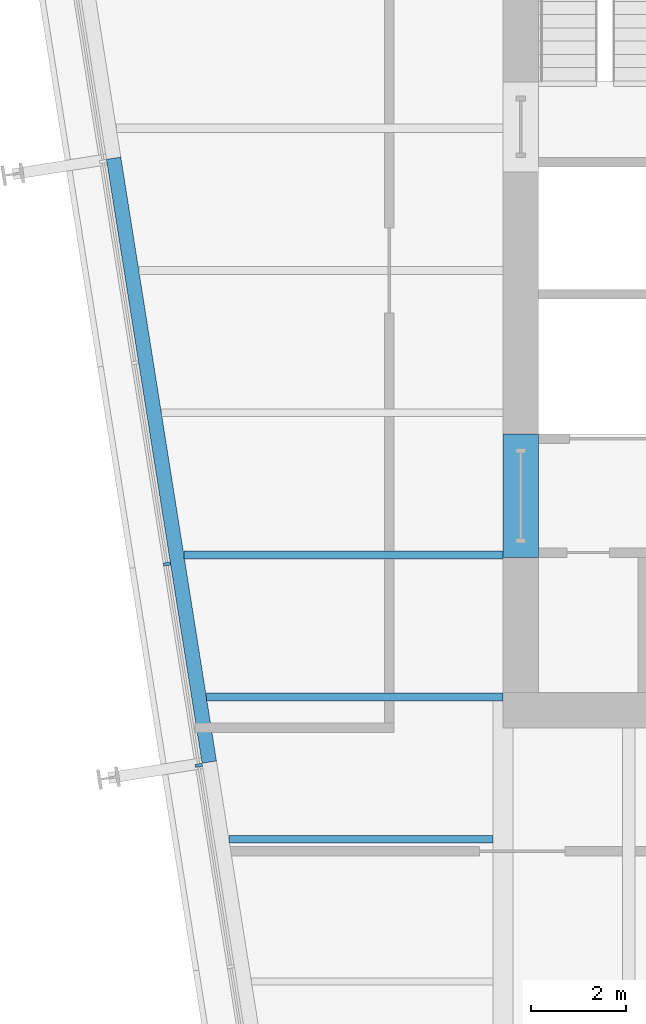
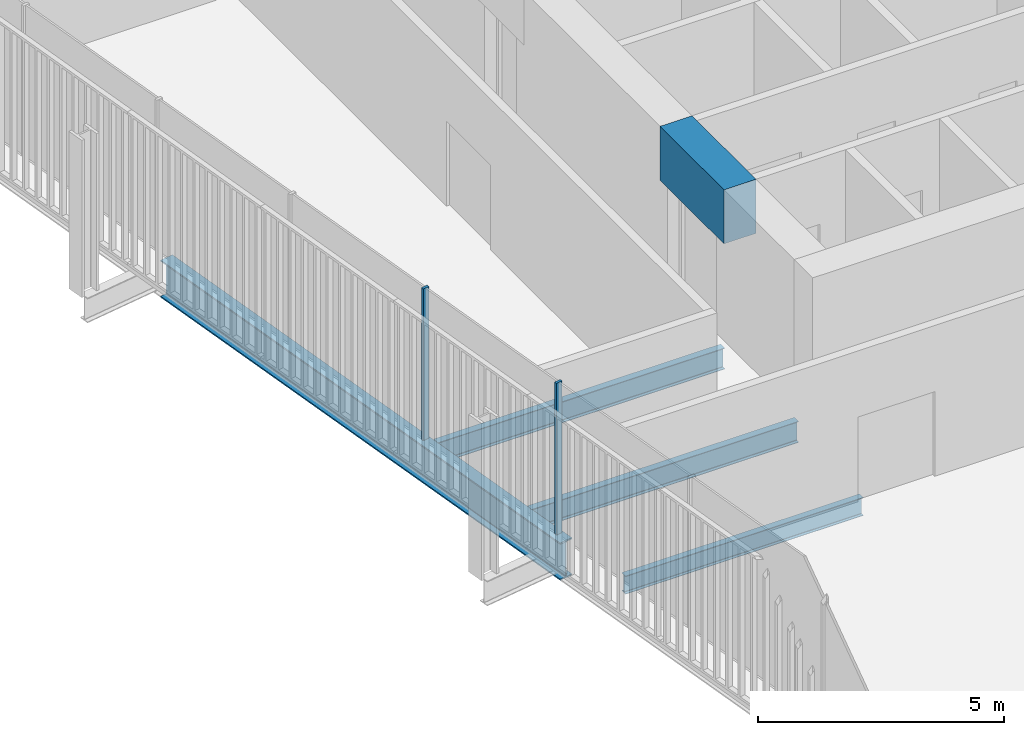
# One storey, part 4 of 21: 5 beams, 2 members, 1 element without a shape of its own.
"""IFC4 building model written with IfcOpenShell, lengths in metres."""

from ifc_helpers import new_model, si_unit, direction, frame, origin, origin_2d, place, context, subcontext, project, spatial, rectangle, i_section, extrude, material, layer, layer_set, material_profile, profile_set, type_object, element, aggregate, save


model = new_model("IFC4")

# Units and contexts
model_context = context("Model", 3, precision=1e-05, world=origin(), true_north=direction((0.0, 1.0)))
body_context = subcontext(model_context, "Body", "Model", "MODEL_VIEW")
ifc_project = project(units=[si_unit("LENGTHUNIT", "METRE"), si_unit("AREAUNIT", "SQUARE_METRE"), si_unit("VOLUMEUNIT", "CUBIC_METRE"), si_unit("PLANEANGLEUNIT", "RADIAN"), si_unit("MASSUNIT", "GRAM", prefix="KILO")], contexts=[model_context])

# Site, building, storey
site_placement = place(None, origin())
site = spatial("IfcSite", under=ifc_project, at=site_placement, CompositionType="ELEMENT")
building_placement = place(site_placement, origin())
building = spatial("IfcBuilding", under=site, at=building_placement, Name="Millrace Tower", CompositionType="ELEMENT")
storey_placement = place(building_placement, frame((0.0, 0.0, 183.89990234375)))
storey = spatial("IfcBuildingStorey", under=building, at=storey_placement, Name="L41", CompositionType="ELEMENT", Elevation=183.89990234375)

# Curtain wall, members
ifc_material_1 = material(Name="Aluminium and glass", Category="aluminium")
ifc_layer = layer(ifc_material_1, 0.14990234375)
ifc_layer_set = layer_set([ifc_layer], Name="Aluminium and glass")
curtain_wall_type = type_object("IfcCurtainWallType", Name="CW-1 office vision curtain wall", PredefinedType="NOTDEFINED", material=ifc_layer_set)
curtain_wall_placement = place(storey_placement, origin())
curtain_wall = element("IfcCurtainWall", 1, at=curtain_wall_placement, inside=storey, type_object=curtain_wall_type, Name="Curtain wall C-F08 L41", PredefinedType="NOTDEFINED")
ifc_material_2 = material(Name="Aluminium", Category="aluminium")
ifc_material_profile_1 = material_profile(ifc_material_2, rectangle(XDim=0.06494140625, YDim=0.14990234375, at=origin_2d()))
ifc_profile_set_1 = profile_set([ifc_material_profile_1], Name="Aluminium")
member_type = type_object("IfcMemberType", Name="CW-1 office vision curtain wall mullion", PredefinedType="MULLION", material=ifc_profile_set_1)
member_1_placement = place(storey_placement, frame((-21.743408203125, -6.193603515625, 0.14013671875), z_axis=(0.0, 0.0, 1.0), x_axis=(0.15643447328, -0.98768833929, 0.0)))
member_1 = element("IfcMember", 2, at=member_1_placement, type_object=member_type, Name="CW1 mullion C-F08.6", PredefinedType="MULLION", context=body_context, shape_type="SweptSolid", body=[
    extrude(rectangle(XDim=0.06494140625, YDim=0.14990234375, at=origin_2d()), origin(), (0.0, 0.0, 1.0), 3.760009765625),
])
member_2_placement = place(storey_placement, frame((-21.070556640625, -10.440673828125, 0.14013671875), z_axis=(0.0, 0.0, 1.0), x_axis=(0.15643447328, -0.98768833929, 0.0)))
member_2 = element("IfcMember", 3, at=member_2_placement, type_object=member_type, Name="CW1 mullion C-F08.7", PredefinedType="MULLION", context=body_context, shape_type="SweptSolid", body=[
    extrude(rectangle(XDim=0.06494140625, YDim=0.14990234375, at=origin_2d()), origin(), (0.0, 0.0, 1.0), 3.760009765625),
])
aggregate(curtain_wall, [member_1, member_2])

# Beams
ifc_material_3 = material(Name="Concrete C70", Category="concrete")
ifc_material_profile_2 = material_profile(ifc_material_3, rectangle(XDim=0.75, YDim=1.340087890625, at=origin_2d()))
ifc_profile_set_2 = profile_set([ifc_material_profile_2], Name="Concrete C70")
beam_type_1 = type_object("IfcBeamType", Name="Coupling beam 750 x 1340 Concrete C70, 2000 opening", PredefinedType="BEAM", material=ifc_profile_set_2)
beam_1_placement = place(storey_placement, frame((-14.27490234375, -6.050048828125, 3.070068359375), z_axis=(0.0, 1.0, 0.0), x_axis=(-1.0, 0.0, 0.0)))
element("IfcBeam", 4, at=beam_1_placement, inside=storey, type_object=beam_type_1, Name="Coupling beam W L41", PredefinedType="BEAM", context=body_context, shape_type="SweptSolid", body=[
    extrude(rectangle(XDim=0.75, YDim=1.340087890625, at=origin_2d()), origin(), (0.0, 0.0, 1.0), 2.60009765625),
])
ifc_material_4 = material(Name="Steel ASTM A992 Grade 50", Category="steel")
ifc_material_profile_3 = material_profile(ifc_material_4, i_section(OverallWidth=0.15234375, OverallDepth=0.449462890625, WebThickness=0.007568359375, FlangeThickness=0.0107421875, FilletRadius=0.01025390625, at=origin_2d()))
ifc_profile_set_3 = profile_set([ifc_material_profile_3], Name="Steel ASTM A992 Grade 50")
beam_type_2 = type_object("IfcBeamType", Name="Floor beam W18x35", PredefinedType="JOIST", material=ifc_profile_set_3)
beam_2_placement = place(storey_placement, frame((-20.4365234375, -12.0, -0.384765625), z_axis=(1.0, 0.0, 0.0), x_axis=(0.0, 1.0, 0.0)))
element("IfcBeam", 5, at=beam_2_placement, inside=storey, type_object=beam_type_2, Name="BM-C-L41-S1-S008", PredefinedType="JOIST", context=body_context, shape_type="SweptSolid", body=[
    extrude(i_section(OverallWidth=0.15234375, OverallDepth=0.449462890625, WebThickness=0.007568359375, FlangeThickness=0.0107421875, FilletRadius=0.01025390625, at=origin_2d()), origin(), (0.0, 0.0, 1.0), 5.576904296875),
])
ifc_material_5 = material(Name="Steel ASTM A992 Grade 50", Category="steel")
ifc_material_profile_4 = material_profile(ifc_material_5, i_section(OverallWidth=0.1650390625, OverallDepth=0.52587890625, WebThickness=0.0087890625, FlangeThickness=0.011474609375, FilletRadius=0.0126953125, at=origin_2d()))
ifc_profile_set_4 = profile_set([ifc_material_profile_4], Name="Steel ASTM A992 Grade 50")
beam_type_3 = type_object("IfcBeamType", Name="Floor beam W21x44", PredefinedType="JOIST", material=ifc_profile_set_4)
beam_3_placement = place(storey_placement, frame((-20.91162109375, -9.0, -0.4228515625), z_axis=(1.0, 0.0, 0.0), x_axis=(0.0, 1.0, 0.0)))
element("IfcBeam", 6, at=beam_3_placement, inside=storey, type_object=beam_type_3, Name="BM-C-L41-S1-S011", PredefinedType="JOIST", context=body_context, shape_type="SweptSolid", body=[
    extrude(i_section(OverallWidth=0.1650390625, OverallDepth=0.52587890625, WebThickness=0.0087890625, FlangeThickness=0.011474609375, FilletRadius=0.0126953125, at=origin_2d()), origin(), (0.0, 0.0, 1.0), 6.26171875),
])
beam_4_placement = place(storey_placement, frame((-21.386962890625, -6.0, -0.4228515625), z_axis=(1.0, 0.0, 0.0), x_axis=(0.0, 1.0, 0.0)))
element("IfcBeam", 7, at=beam_4_placement, inside=storey, type_object=beam_type_3, Name="BM-C-L41-S1-S014", PredefinedType="JOIST", context=body_context, shape_type="SweptSolid", body=[
    extrude(i_section(OverallWidth=0.1650390625, OverallDepth=0.52587890625, WebThickness=0.0087890625, FlangeThickness=0.011474609375, FilletRadius=0.0126953125, at=origin_2d()), origin(), (0.0, 0.0, 1.0), 6.737060546875),
])
ifc_material_6 = material(Name="Steel ASTM A992 Grade 50", Category="steel")
ifc_material_profile_5 = material_profile(ifc_material_6, i_section(OverallWidth=0.307373046875, OverallDepth=0.927001953125, WebThickness=0.01953125, FlangeThickness=0.031982421875, FilletRadius=0.01904296875, at=origin_2d()))
ifc_profile_set_5 = profile_set([ifc_material_profile_5], Name="Steel ASTM A992 Grade 50")
beam_type_4 = type_object("IfcBeamType", Name="Ring beam medium span W36x194", PredefinedType="SPANDREL", material=ifc_profile_set_5)
beam_5_placement = place(storey_placement, frame((-20.849853515625, -10.372802734375, -0.62353515625), z_axis=(-0.156438763615, 0.987687659758, 0.0), x_axis=(-0.987687659758, -0.156438763615, 0.0)))
element("IfcBeam", 8, at=beam_5_placement, inside=storey, type_object=beam_type_4, Name="RNG-C-L41-S1-02", PredefinedType="SPANDREL", context=body_context, shape_type="SweptSolid", body=[
    extrude(i_section(OverallWidth=0.307373046875, OverallDepth=0.927001953125, WebThickness=0.01953125, FlangeThickness=0.031982421875, FilletRadius=0.01904296875, at=origin_2d()), origin(), (0.0, 0.0, 1.0), 12.900146484375),
])

save(model, "model.ifc")
